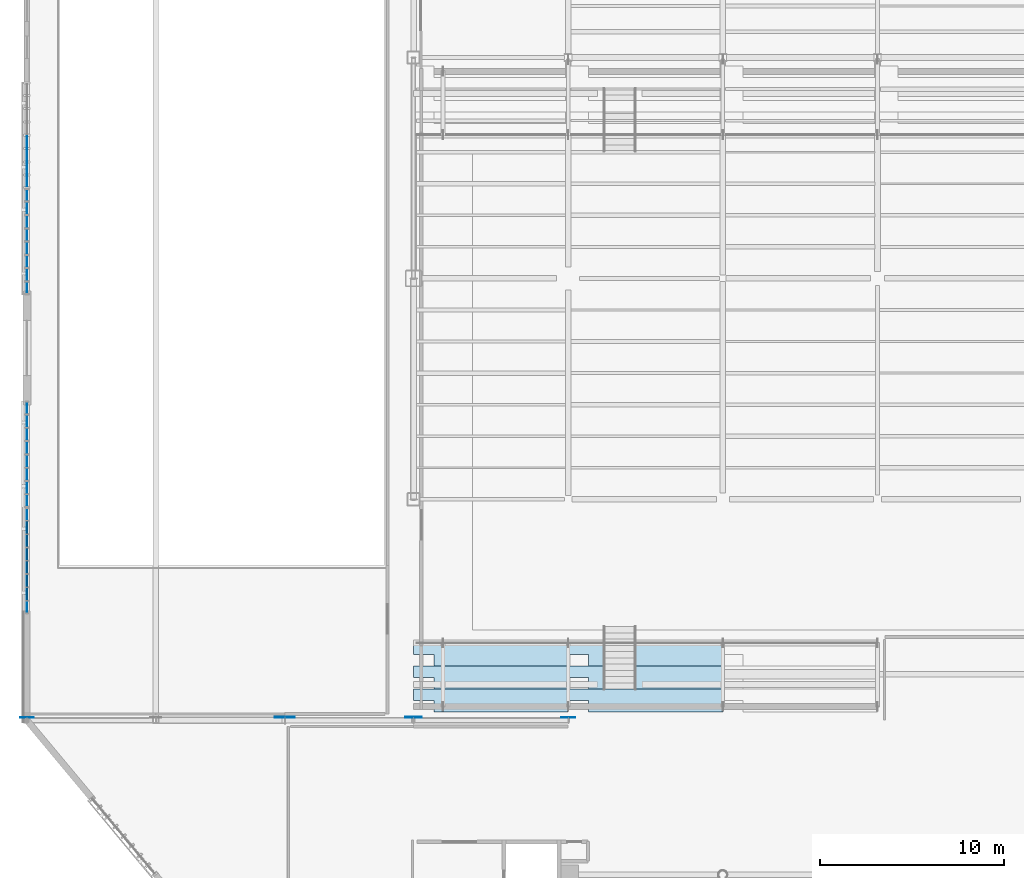
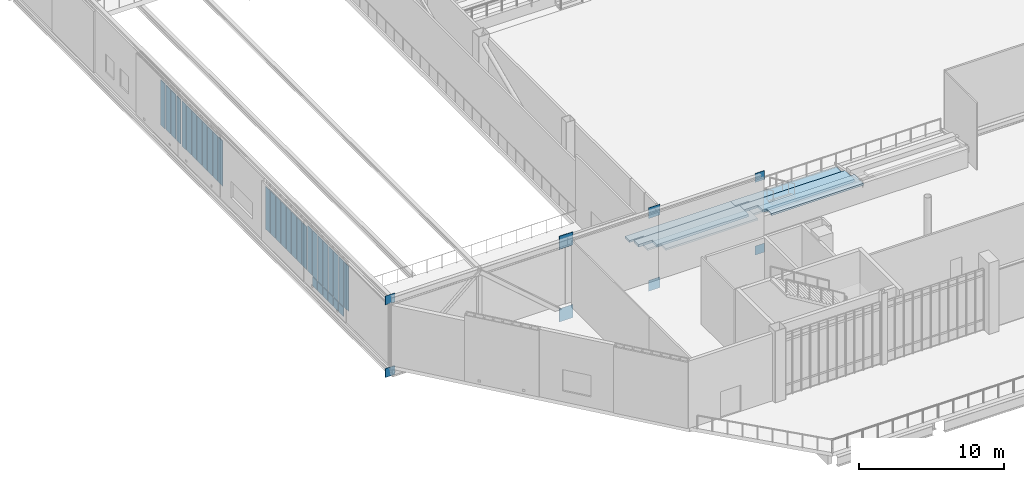
# One storey, part 68 of 135: 42 plates, 6 slabs, 4 elements without a shape of their own.
"""IFC4 building model written with IfcOpenShell, lengths in metres."""

from ifc_helpers import new_model, si_unit, direction, frame, origin, origin_2d, place, context, subcontext, project, spatial, polyline, rectangle, outline, extrude, material, layer, layer_set, type_object, element, aggregate, save


model = new_model("IFC4")

# Units and contexts
model_context = context("Model", 3, precision=1e-05, world=origin(), true_north=direction((0.0, 1.0)))
body_context = subcontext(model_context, "Body", "Model", "MODEL_VIEW")
ifc_project = project(units=[si_unit("LENGTHUNIT", "METRE"), si_unit("AREAUNIT", "SQUARE_METRE"), si_unit("VOLUMEUNIT", "CUBIC_METRE"), si_unit("PLANEANGLEUNIT", "RADIAN"), si_unit("MASSUNIT", "GRAM", prefix="KILO")], contexts=[model_context])

# Site, building, storey
site_placement = place(None, origin())
site = spatial("IfcSite", under=ifc_project, at=site_placement, CompositionType="ELEMENT")
building_placement = place(site_placement, origin())
building = spatial("IfcBuilding", under=site, at=building_placement, Name="Larkvane Passage Sports Hall", CompositionType="ELEMENT")
storey_placement = place(building_placement, frame((0.0, 0.0, 10.800048828125)))
storey = spatial("IfcBuildingStorey", under=building, at=storey_placement, Name="L02", CompositionType="ELEMENT", Elevation=10.800048828125)

# Curtain wall, plates
ifc_material_1 = material(Name="Thermally broken aluminium and low-E glazing", Category="aluminium")
curtain_wall_type_1 = type_object("IfcCurtainWallType", Name="CW-UNIT-COURT", PredefinedType="USERDEFINED", material=ifc_material_1)
curtain_wall_1_placement = place(storey_placement, origin())
curtain_wall_1 = element("IfcCurtainWall", 1, at=curtain_wall_1_placement, inside=storey, type_object=curtain_wall_type_1, Name="Curtain wall CW5-L02-092", ObjectType="UNITISED CURTAIN WALL", PredefinedType="USERDEFINED")
ifc_material_2 = material(Name="Insulated aluminium spandrel panel", Category="aluminium")
ifc_layer_1 = layer(ifc_material_2, 0.06494140625)
ifc_layer_set_1 = layer_set([ifc_layer_1], Name="Insulated aluminium spandrel panel")
plate_type_1 = type_object("IfcPlateType", Name="CWP-SPD-65", PredefinedType="CURTAIN_PANEL", material=ifc_layer_set_1)
plate_1_placement = place(storey_placement, frame((13.800048828125, 46.461181640625, 0.06005859375), z_axis=(0.0, 0.0, 1.0), x_axis=(0.0, 1.0, 0.0)))
plate_1 = element("IfcPlate", 2, at=plate_1_placement, type_object=plate_type_1, Name="CW-01 panel 2.1", PredefinedType="CURTAIN_PANEL", context=body_context, shape_type="SweptSolid", body=[
    extrude(rectangle(XDim=0.662109375, YDim=0.06494140625, at=origin_2d()), origin(), (0.0, 0.0, 1.0), 0.760009765625),
])
plate_2_placement = place(storey_placement, frame((13.800048828125, 47.183349609375, 0.06005859375), z_axis=(0.0, 0.0, 1.0), x_axis=(0.0, 1.0, 0.0)))
plate_2 = element("IfcPlate", 3, at=plate_2_placement, type_object=plate_type_1, Name="CW-01 panel 3.1", PredefinedType="CURTAIN_PANEL", context=body_context, shape_type="SweptSolid", body=[
    extrude(rectangle(XDim=0.662109375, YDim=0.06494140625, at=origin_2d()), origin(), (0.0, 0.0, 1.0), 0.760009765625),
])
plate_3_placement = place(storey_placement, frame((13.800048828125, 47.905517578125, 0.06005859375), z_axis=(0.0, 0.0, 1.0), x_axis=(0.0, 1.0, 0.0)))
plate_3 = element("IfcPlate", 4, at=plate_3_placement, type_object=plate_type_1, Name="CW-01 panel 4.1", PredefinedType="CURTAIN_PANEL", context=body_context, shape_type="SweptSolid", body=[
    extrude(rectangle(XDim=0.662109375, YDim=0.06494140625, at=origin_2d()), origin(), (0.0, 0.0, 1.0), 0.760009765625),
])
plate_4_placement = place(storey_placement, frame((13.800048828125, 48.6279296875, 0.06005859375), z_axis=(0.0, 0.0, 1.0), x_axis=(0.0, 1.0, 0.0)))
plate_4 = element("IfcPlate", 5, at=plate_4_placement, type_object=plate_type_1, Name="CW-01 panel 5.1", PredefinedType="CURTAIN_PANEL", context=body_context, shape_type="SweptSolid", body=[
    extrude(rectangle(XDim=0.662109375, YDim=0.06494140625, at=origin_2d()), origin(), (0.0, 0.0, 1.0), 0.760009765625),
])
plate_5_placement = place(storey_placement, frame((13.800048828125, 49.35009765625, 0.06005859375), z_axis=(0.0, 0.0, 1.0), x_axis=(0.0, 1.0, 0.0)))
plate_5 = element("IfcPlate", 6, at=plate_5_placement, type_object=plate_type_1, Name="CW-01 panel 6.1", PredefinedType="CURTAIN_PANEL", context=body_context, shape_type="SweptSolid", body=[
    extrude(rectangle(XDim=0.662109375, YDim=0.06494140625, at=origin_2d()), origin(), (0.0, 0.0, 1.0), 0.760009765625),
])
plate_6_placement = place(storey_placement, frame((13.800048828125, 50.072265625, 0.06005859375), z_axis=(0.0, 0.0, 1.0), x_axis=(0.0, 1.0, 0.0)))
plate_6 = element("IfcPlate", 7, at=plate_6_placement, type_object=plate_type_1, Name="CW-01 panel 7.1", PredefinedType="CURTAIN_PANEL", context=body_context, shape_type="SweptSolid", body=[
    extrude(rectangle(XDim=0.662109375, YDim=0.06494140625, at=origin_2d()), origin(), (0.0, 0.0, 1.0), 0.760009765625),
])
ifc_material_3 = material(Name="Solar-control low-E double glazing", Category="glass")
ifc_layer_2 = layer(ifc_material_3, 0.028076171875)
ifc_layer_set_2 = layer_set([ifc_layer_2], Name="Solar-control low-E double glazing")
plate_type_2 = type_object("IfcPlateType", Name="CWP-VIS-28", PredefinedType="CURTAIN_PANEL", material=ifc_layer_set_2)
plate_7_placement = place(storey_placement, frame((13.800048828125, 45.75390625, 0.8798828125), z_axis=(0.0, 0.0, 1.0), x_axis=(0.0, 1.0, 0.0)))
plate_7 = element("IfcPlate", 8, at=plate_7_placement, type_object=plate_type_2, Name="CW-01 panel 1.2", PredefinedType="CURTAIN_PANEL", context=body_context, shape_type="SweptSolid", body=[
    extrude(rectangle(XDim=0.63232421875, YDim=0.028076171875, at=origin_2d()), origin(), (0.0, 0.0, 1.0), 3.818115234375),
])
plate_8_placement = place(storey_placement, frame((13.800048828125, 46.461181640625, 0.8798828125), z_axis=(0.0, 0.0, 1.0), x_axis=(0.0, 1.0, 0.0)))
plate_8 = element("IfcPlate", 9, at=plate_8_placement, type_object=plate_type_2, Name="CW-01 panel 2.2", PredefinedType="CURTAIN_PANEL", context=body_context, shape_type="SweptSolid", body=[
    extrude(rectangle(XDim=0.662109375, YDim=0.028076171875, at=origin_2d()), origin(), (0.0, 0.0, 1.0), 3.818115234375),
])
plate_9_placement = place(storey_placement, frame((13.800048828125, 47.183349609375, 0.8798828125), z_axis=(0.0, 0.0, 1.0), x_axis=(0.0, 1.0, 0.0)))
plate_9 = element("IfcPlate", 10, at=plate_9_placement, type_object=plate_type_2, Name="CW-01 panel 3.2", PredefinedType="CURTAIN_PANEL", context=body_context, shape_type="SweptSolid", body=[
    extrude(rectangle(XDim=0.662109375, YDim=0.028076171875, at=origin_2d()), origin(), (0.0, 0.0, 1.0), 3.818115234375),
])
plate_10_placement = place(storey_placement, frame((13.800048828125, 47.905517578125, 0.8798828125), z_axis=(0.0, 0.0, 1.0), x_axis=(0.0, 1.0, 0.0)))
plate_10 = element("IfcPlate", 11, at=plate_10_placement, type_object=plate_type_2, Name="CW-01 panel 4.2", PredefinedType="CURTAIN_PANEL", context=body_context, shape_type="SweptSolid", body=[
    extrude(rectangle(XDim=0.662109375, YDim=0.028076171875, at=origin_2d()), origin(), (0.0, 0.0, 1.0), 3.818115234375),
])
plate_11_placement = place(storey_placement, frame((13.800048828125, 48.6279296875, 0.8798828125), z_axis=(0.0, 0.0, 1.0), x_axis=(0.0, 1.0, 0.0)))
plate_11 = element("IfcPlate", 12, at=plate_11_placement, type_object=plate_type_2, Name="CW-01 panel 5.2", PredefinedType="CURTAIN_PANEL", context=body_context, shape_type="SweptSolid", body=[
    extrude(rectangle(XDim=0.662109375, YDim=0.028076171875, at=origin_2d()), origin(), (0.0, 0.0, 1.0), 3.818115234375),
])
plate_12_placement = place(storey_placement, frame((13.800048828125, 49.35009765625, 0.8798828125), z_axis=(0.0, 0.0, 1.0), x_axis=(0.0, 1.0, 0.0)))
plate_12 = element("IfcPlate", 13, at=plate_12_placement, type_object=plate_type_2, Name="CW-01 panel 6.2", PredefinedType="CURTAIN_PANEL", context=body_context, shape_type="SweptSolid", body=[
    extrude(rectangle(XDim=0.662109375, YDim=0.028076171875, at=origin_2d()), origin(), (0.0, 0.0, 1.0), 3.818115234375),
])
plate_13_placement = place(storey_placement, frame((13.800048828125, 50.072265625, 0.8798828125), z_axis=(0.0, 0.0, 1.0), x_axis=(0.0, 1.0, 0.0)))
plate_13 = element("IfcPlate", 14, at=plate_13_placement, type_object=plate_type_2, Name="CW-01 panel 7.2", PredefinedType="CURTAIN_PANEL", context=body_context, shape_type="SweptSolid", body=[
    extrude(rectangle(XDim=0.662109375, YDim=0.028076171875, at=origin_2d()), origin(), (0.0, 0.0, 1.0), 3.818115234375),
])
plate_14_placement = place(storey_placement, frame((13.800048828125, 50.779541015625, 0.8798828125), z_axis=(0.0, 0.0, 1.0), x_axis=(0.0, 1.0, 0.0)))
plate_14 = element("IfcPlate", 15, at=plate_14_placement, type_object=plate_type_2, Name="CW-01 panel 8.2", PredefinedType="CURTAIN_PANEL", context=body_context, shape_type="SweptSolid", body=[
    extrude(rectangle(XDim=0.63232421875, YDim=0.028076171875, at=origin_2d()), origin(), (0.0, 0.0, 1.0), 3.818115234375),
])
aggregate(curtain_wall_1, [plate_7, plate_1, plate_8, plate_2, plate_9, plate_3, plate_10, plate_4, plate_11, plate_5, plate_12, plate_6, plate_13, plate_14])

curtain_wall_type_2 = type_object("IfcCurtainWallType", Name="CW-UNIT-VEIL", PredefinedType="USERDEFINED", material=ifc_material_1)
curtain_wall_2_placement = place(storey_placement, origin())
curtain_wall_2 = element("IfcCurtainWall", 16, at=curtain_wall_2_placement, inside=storey, type_object=curtain_wall_type_2, Name="Curtain wall CW5-L02-093", ObjectType="UNITISED CURTAIN WALL", PredefinedType="USERDEFINED")
ifc_material_4 = material(Name="Laminated acoustic low-E glazing", Category="glass")
ifc_layer_3 = layer(ifc_material_4, 0.031982421875)
ifc_layer_set_3 = layer_set([ifc_layer_3], Name="Laminated acoustic low-E glazing")
plate_type_3 = type_object("IfcPlateType", Name="CWP-VIS-32", PredefinedType="CURTAIN_PANEL", material=ifc_layer_set_3)
plate_15_placement = place(storey_placement, frame((13.800048828125, 51.5341796875, 0.884765625), z_axis=(0.0, 0.0, 1.0), x_axis=(0.0, 1.0, 0.0)))
plate_15 = element("IfcPlate", 17, at=plate_15_placement, type_object=plate_type_3, Name="CW-02 panel 1.2", PredefinedType="CURTAIN_PANEL", context=body_context, shape_type="SweptSolid", body=[
    extrude(rectangle(XDim=0.6171875, YDim=0.031982421875, at=origin_2d()), origin(), (0.0, 0.0, 1.0), 3.610107421875),
])
plate_16_placement = place(storey_placement, frame((13.800048828125, 52.239013671875, 0.884765625), z_axis=(0.0, 0.0, 1.0), x_axis=(0.0, 1.0, 0.0)))
plate_16 = element("IfcPlate", 18, at=plate_16_placement, type_object=plate_type_3, Name="CW-02 panel 2.2", PredefinedType="CURTAIN_PANEL", context=body_context, shape_type="SweptSolid", body=[
    extrude(rectangle(XDim=0.652099609375, YDim=0.031982421875, at=origin_2d()), origin(), (0.0, 0.0, 1.0), 3.610107421875),
])
plate_17_placement = place(storey_placement, frame((13.800048828125, 52.961181640625, 0.884765625), z_axis=(0.0, 0.0, 1.0), x_axis=(0.0, 1.0, 0.0)))
plate_17 = element("IfcPlate", 19, at=plate_17_placement, type_object=plate_type_3, Name="CW-02 panel 3.2", PredefinedType="CURTAIN_PANEL", context=body_context, shape_type="SweptSolid", body=[
    extrude(rectangle(XDim=0.652099609375, YDim=0.031982421875, at=origin_2d()), origin(), (0.0, 0.0, 1.0), 3.610107421875),
])
plate_18_placement = place(storey_placement, frame((13.800048828125, 53.683349609375, 0.884765625), z_axis=(0.0, 0.0, 1.0), x_axis=(0.0, 1.0, 0.0)))
plate_18 = element("IfcPlate", 20, at=plate_18_placement, type_object=plate_type_3, Name="CW-02 panel 4.2", PredefinedType="CURTAIN_PANEL", context=body_context, shape_type="SweptSolid", body=[
    extrude(rectangle(XDim=0.652099609375, YDim=0.031982421875, at=origin_2d()), origin(), (0.0, 0.0, 1.0), 3.610107421875),
])
plate_19_placement = place(storey_placement, frame((13.800048828125, 54.405517578125, 0.884765625), z_axis=(0.0, 0.0, 1.0), x_axis=(0.0, 1.0, 0.0)))
plate_19 = element("IfcPlate", 21, at=plate_19_placement, type_object=plate_type_3, Name="CW-02 panel 5.2", PredefinedType="CURTAIN_PANEL", context=body_context, shape_type="SweptSolid", body=[
    extrude(rectangle(XDim=0.652099609375, YDim=0.031982421875, at=origin_2d()), origin(), (0.0, 0.0, 1.0), 3.610107421875),
])
plate_20_placement = place(storey_placement, frame((13.800048828125, 55.127685546875, 0.884765625), z_axis=(0.0, 0.0, 1.0), x_axis=(0.0, 1.0, 0.0)))
plate_20 = element("IfcPlate", 22, at=plate_20_placement, type_object=plate_type_3, Name="CW-02 panel 6.2", PredefinedType="CURTAIN_PANEL", context=body_context, shape_type="SweptSolid", body=[
    extrude(rectangle(XDim=0.652099609375, YDim=0.031982421875, at=origin_2d()), origin(), (0.0, 0.0, 1.0), 3.610107421875),
])
plate_21_placement = place(storey_placement, frame((13.800048828125, 55.85009765625, 0.884765625), z_axis=(0.0, 0.0, 1.0), x_axis=(0.0, 1.0, 0.0)))
plate_21 = element("IfcPlate", 23, at=plate_21_placement, type_object=plate_type_3, Name="CW-02 panel 7.2", PredefinedType="CURTAIN_PANEL", context=body_context, shape_type="SweptSolid", body=[
    extrude(rectangle(XDim=0.652099609375, YDim=0.031982421875, at=origin_2d()), origin(), (0.0, 0.0, 1.0), 3.610107421875),
])
plate_22_placement = place(storey_placement, frame((13.800048828125, 56.5546875, 0.884765625), z_axis=(0.0, 0.0, 1.0), x_axis=(0.0, 1.0, 0.0)))
plate_22 = element("IfcPlate", 24, at=plate_22_placement, type_object=plate_type_3, Name="CW-02 panel 8.2", PredefinedType="CURTAIN_PANEL", context=body_context, shape_type="SweptSolid", body=[
    extrude(rectangle(XDim=0.6171875, YDim=0.031982421875, at=origin_2d()), origin(), (0.0, 0.0, 1.0), 3.610107421875),
])
aggregate(curtain_wall_2, [plate_15, plate_16, plate_17, plate_18, plate_19, plate_20, plate_21, plate_22])

curtain_wall_type_3 = type_object("IfcCurtainWallType", Name="CW-STICK-FOYER", PredefinedType="USERDEFINED", material=ifc_material_1)
curtain_wall_3_placement = place(storey_placement, origin())
curtain_wall_3 = element("IfcCurtainWall", 25, at=curtain_wall_3_placement, inside=storey, type_object=curtain_wall_type_3, Name="Curtain wall CW5-L02-094", ObjectType="STICK CURTAIN WALL", PredefinedType="USERDEFINED")
ifc_material_5 = material(Name="High-impact court low-E glazing", Category="glass")
ifc_layer_4 = layer(ifc_material_5, 0.035888671875)
ifc_layer_set_4 = layer_set([ifc_layer_4], Name="High-impact court low-E glazing")
plate_type_4 = type_object("IfcPlateType", Name="CWP-VIS-36", PredefinedType="CURTAIN_PANEL", material=ifc_layer_set_4)
plate_23_placement = place(storey_placement, frame((13.800048828125, 63.09228515625, 0.89013671875), z_axis=(0.0, 0.0, 1.0), x_axis=(0.0, 1.0, 0.0)))
plate_23 = element("IfcPlate", 26, at=plate_23_placement, type_object=plate_type_4, Name="CW-03 panel 1.2", PredefinedType="CURTAIN_PANEL", context=body_context, shape_type="SweptSolid", body=[
    extrude(rectangle(XDim=0.602294921875, YDim=0.035888671875, at=origin_2d()), origin(), (0.0, 0.0, 1.0), 3.798095703125),
])
plate_24_placement = place(storey_placement, frame((13.800048828125, 63.79443359375, 0.89013671875), z_axis=(0.0, 0.0, 1.0), x_axis=(0.0, 1.0, 0.0)))
plate_24 = element("IfcPlate", 27, at=plate_24_placement, type_object=plate_type_4, Name="CW-03 panel 2.2", PredefinedType="CURTAIN_PANEL", context=body_context, shape_type="SweptSolid", body=[
    extrude(rectangle(XDim=0.642333984375, YDim=0.035888671875, at=origin_2d()), origin(), (0.0, 0.0, 1.0), 3.798095703125),
])
plate_25_placement = place(storey_placement, frame((13.800048828125, 64.5166015625, 0.89013671875), z_axis=(0.0, 0.0, 1.0), x_axis=(0.0, 1.0, 0.0)))
plate_25 = element("IfcPlate", 28, at=plate_25_placement, type_object=plate_type_4, Name="CW-03 panel 3.2", PredefinedType="CURTAIN_PANEL", context=body_context, shape_type="SweptSolid", body=[
    extrude(rectangle(XDim=0.642333984375, YDim=0.035888671875, at=origin_2d()), origin(), (0.0, 0.0, 1.0), 3.798095703125),
])
plate_26_placement = place(storey_placement, frame((13.800048828125, 65.23876953125, 0.89013671875), z_axis=(0.0, 0.0, 1.0), x_axis=(0.0, 1.0, 0.0)))
plate_26 = element("IfcPlate", 29, at=plate_26_placement, type_object=plate_type_4, Name="CW-03 panel 4.2", PredefinedType="CURTAIN_PANEL", context=body_context, shape_type="SweptSolid", body=[
    extrude(rectangle(XDim=0.642333984375, YDim=0.035888671875, at=origin_2d()), origin(), (0.0, 0.0, 1.0), 3.798095703125),
])
plate_27_placement = place(storey_placement, frame((13.800048828125, 65.961181640625, 0.89013671875), z_axis=(0.0, 0.0, 1.0), x_axis=(0.0, 1.0, 0.0)))
plate_27 = element("IfcPlate", 30, at=plate_27_placement, type_object=plate_type_4, Name="CW-03 panel 5.2", PredefinedType="CURTAIN_PANEL", context=body_context, shape_type="SweptSolid", body=[
    extrude(rectangle(XDim=0.642333984375, YDim=0.035888671875, at=origin_2d()), origin(), (0.0, 0.0, 1.0), 3.798095703125),
])
plate_28_placement = place(storey_placement, frame((13.800048828125, 66.683349609375, 0.89013671875), z_axis=(0.0, 0.0, 1.0), x_axis=(0.0, 1.0, 0.0)))
plate_28 = element("IfcPlate", 31, at=plate_28_placement, type_object=plate_type_4, Name="CW-03 panel 6.2", PredefinedType="CURTAIN_PANEL", context=body_context, shape_type="SweptSolid", body=[
    extrude(rectangle(XDim=0.642333984375, YDim=0.035888671875, at=origin_2d()), origin(), (0.0, 0.0, 1.0), 3.798095703125),
])
plate_29_placement = place(storey_placement, frame((13.800048828125, 67.405517578125, 0.89013671875), z_axis=(0.0, 0.0, 1.0), x_axis=(0.0, 1.0, 0.0)))
plate_29 = element("IfcPlate", 32, at=plate_29_placement, type_object=plate_type_4, Name="CW-03 panel 7.2", PredefinedType="CURTAIN_PANEL", context=body_context, shape_type="SweptSolid", body=[
    extrude(rectangle(XDim=0.642333984375, YDim=0.035888671875, at=origin_2d()), origin(), (0.0, 0.0, 1.0), 3.798095703125),
])
plate_30_placement = place(storey_placement, frame((13.800048828125, 68.107666015625, 0.89013671875), z_axis=(0.0, 0.0, 1.0), x_axis=(0.0, 1.0, 0.0)))
plate_30 = element("IfcPlate", 33, at=plate_30_placement, type_object=plate_type_4, Name="CW-03 panel 8.2", PredefinedType="CURTAIN_PANEL", context=body_context, shape_type="SweptSolid", body=[
    extrude(rectangle(XDim=0.602294921875, YDim=0.035888671875, at=origin_2d()), origin(), (0.0, 0.0, 1.0), 3.798095703125),
])
aggregate(curtain_wall_3, [plate_23, plate_24, plate_25, plate_26, plate_27, plate_28, plate_29, plate_30])

curtain_wall_type_4 = type_object("IfcCurtainWallType", Name="CW-CLINIC", PredefinedType="USERDEFINED", material=ifc_material_1)
curtain_wall_4_placement = place(storey_placement, origin())
curtain_wall_4 = element("IfcCurtainWall", 34, at=curtain_wall_4_placement, inside=storey, type_object=curtain_wall_type_4, Name="Curtain wall CW5-L02-095", ObjectType="UNITISED CURTAIN WALL", PredefinedType="USERDEFINED")
ifc_material_6 = material(Name="Triple-laminated typhoon glazing", Category="glass")
ifc_layer_5 = layer(ifc_material_6, 0.0419921875)
ifc_layer_set_5 = layer_set([ifc_layer_5], Name="Triple-laminated typhoon glazing")
plate_type_5 = type_object("IfcPlateType", Name="CWP-VIS-42", PredefinedType="CURTAIN_PANEL", material=ifc_layer_set_5)
plate_31_placement = place(storey_placement, frame((13.800048828125, 68.87744140625, 0.905029296875), z_axis=(0.0, 0.0, 1.0), x_axis=(0.0, 1.0, 0.0)))
plate_31 = element("IfcPlate", 35, at=plate_31_placement, type_object=plate_type_5, Name="CW-05 panel 1.2", PredefinedType="CURTAIN_PANEL", context=body_context, shape_type="SweptSolid", body=[
    extrude(rectangle(XDim=0.55712890625, YDim=0.0419921875, at=origin_2d()), origin(), (0.0, 0.0, 1.0), 3.76806640625),
])
plate_32_placement = place(storey_placement, frame((13.800048828125, 69.572265625, 0.905029296875), z_axis=(0.0, 0.0, 1.0), x_axis=(0.0, 1.0, 0.0)))
plate_32 = element("IfcPlate", 36, at=plate_32_placement, type_object=plate_type_5, Name="CW-05 panel 2.2", PredefinedType="CURTAIN_PANEL", context=body_context, shape_type="SweptSolid", body=[
    extrude(rectangle(XDim=0.6123046875, YDim=0.0419921875, at=origin_2d()), origin(), (0.0, 0.0, 1.0), 3.76806640625),
])
plate_33_placement = place(storey_placement, frame((13.800048828125, 70.29443359375, 0.905029296875), z_axis=(0.0, 0.0, 1.0), x_axis=(0.0, 1.0, 0.0)))
plate_33 = element("IfcPlate", 37, at=plate_33_placement, type_object=plate_type_5, Name="CW-05 panel 3.2", PredefinedType="CURTAIN_PANEL", context=body_context, shape_type="SweptSolid", body=[
    extrude(rectangle(XDim=0.6123046875, YDim=0.0419921875, at=origin_2d()), origin(), (0.0, 0.0, 1.0), 3.76806640625),
])
plate_34_placement = place(storey_placement, frame((13.800048828125, 71.0166015625, 0.905029296875), z_axis=(0.0, 0.0, 1.0), x_axis=(0.0, 1.0, 0.0)))
plate_34 = element("IfcPlate", 38, at=plate_34_placement, type_object=plate_type_5, Name="CW-05 panel 4.2", PredefinedType="CURTAIN_PANEL", context=body_context, shape_type="SweptSolid", body=[
    extrude(rectangle(XDim=0.6123046875, YDim=0.0419921875, at=origin_2d()), origin(), (0.0, 0.0, 1.0), 3.76806640625),
])
aggregate(curtain_wall_4, [plate_31, plate_32, plate_33, plate_34])

# Plates
ifc_material_7 = material(Name="Steel S460N", Category="steel")
ifc_layer_6 = layer(ifc_material_7, 0.02392578125)
ifc_layer_set_6 = layer_set([ifc_layer_6], Name="Steel S460N")
plate_type_6 = type_object("IfcPlateType", Name="PLT-GUS-24", PredefinedType="USERDEFINED", material=ifc_layer_set_6)
for number, where, z_axis, x_axis, name in (
    (39, (13.800048828125, 39.761962890625, -1.089111328125), (0.0, 0.0, 1.0), (1.0, 0.0, 0.0), "Truss node gusset plate ND-1B (CT-W2A-1)"),
    (40, (13.800048828125, 39.761962890625, 5.010986328125), (0.0, 0.0, 1.0), (1.0, 0.0, 0.0), "Truss node gusset plate ND-1T (CT-W2A-1)"),
    (41, (43.199951171875, 39.761962890625, -1.089111328125), (0.0, 0.0, 1.0), (1.0, 0.0, 0.0), "Truss node gusset plate ND-5B (CT-W2A-1)"),
    (42, (43.199951171875, 39.761962890625, 5.010986328125), (0.0, 0.0, 1.0), (1.0, 0.0, 0.0), "Truss node gusset plate ND-5T (CT-W2A-1)"),
):
    element("IfcPlate", number, at=place(storey_placement, frame(where, z_axis=z_axis, x_axis=x_axis)), inside=storey, type_object=plate_type_6, Name=name, ObjectType="GUSSET PLATE", PredefinedType="USERDEFINED", context=body_context, shape_type="SweptSolid", body=[
        extrude(rectangle(XDim=0.75, YDim=0.02392578125, at=origin_2d()), origin(), (0.0, 0.0, 1.0), 0.75),
    ])
ifc_layer_7 = layer(ifc_material_7, 0.031982421875)
ifc_layer_set_7 = layer_set([ifc_layer_7], Name="Steel S460N")
plate_type_7 = type_object("IfcPlateType", Name="PLT-GUS-32", PredefinedType="USERDEFINED", material=ifc_layer_set_7)
for number, where, z_axis, x_axis, name in (
    (43, (34.800048828125, 39.76611328125, -1.1640625), (0.0, 0.0, 1.0), (1.0, 0.0, 0.0), "Truss node gusset plate ND-4B (CT-W2A-1)"),
    (44, (34.800048828125, 39.76611328125, 4.93603515625), (0.0, 0.0, 1.0), (1.0, 0.0, 0.0), "Truss node gusset plate ND-4T (CT-W2A-1)"),
):
    element("IfcPlate", number, at=place(storey_placement, frame(where, z_axis=z_axis, x_axis=x_axis)), inside=storey, type_object=plate_type_7, Name=name, ObjectType="GUSSET PLATE", PredefinedType="USERDEFINED", context=body_context, shape_type="SweptSolid", body=[
        extrude(rectangle(XDim=0.89990234375, YDim=0.031982421875, at=origin_2d()), origin(), (0.0, 0.0, 1.0), 0.89990234375),
    ])
ifc_layer_8 = layer(ifc_material_7, 0.0400390625)
ifc_layer_set_8 = layer_set([ifc_layer_8], Name="Steel S460N")
plate_type_8 = type_object("IfcPlateType", Name="PLT-GUS-40", PredefinedType="USERDEFINED", material=ifc_layer_set_8)
for number, where, z_axis, x_axis, name in (
    (45, (27.800048828125, 39.77001953125, -1.26416015625), (0.0, 0.0, 1.0), (1.0, 0.0, 0.0), "Truss node gusset plate ND-3B (CT-W2A-1)"),
    (46, (27.800048828125, 39.77001953125, 4.8359375), (0.0, 0.0, 1.0), (1.0, 0.0, 0.0), "Truss node gusset plate ND-3T (CT-W2A-1)"),
):
    element("IfcPlate", number, at=place(storey_placement, frame(where, z_axis=z_axis, x_axis=x_axis)), inside=storey, type_object=plate_type_8, Name=name, ObjectType="GUSSET PLATE", PredefinedType="USERDEFINED", context=body_context, shape_type="SweptSolid", body=[
        extrude(rectangle(XDim=1.10009765625, YDim=0.0400390625, at=origin_2d()), origin(), (0.0, 0.0, 1.0), 1.10009765625),
    ])

# Slabs
ifc_material_8 = material(Name="Precast concrete C45/55", Category="concrete")
ifc_layer_9 = layer(ifc_material_8, 0.159912109375)
ifc_layer_set_9 = layer_set([ifc_layer_9], Name="Precast concrete C45/55")
slab_type_1 = type_object("IfcSlabType", Name="SLB-TIER-160", PredefinedType="USERDEFINED", material=ifc_layer_set_9)
slab_1_placement = place(storey_placement, frame((0.0, 0.0, 0.68994140625)))
element("IfcSlab", 47, at=slab_1_placement, inside=storey, type_object=slab_type_1, Name="Spectator Stand Tier S1-1", ObjectType="SEATING TIER", PredefinedType="USERDEFINED", context=body_context, shape_type="SweptSolid", body=[
    extrude(outline(polyline([(35.89990234375, 42.550048828125), (43.199951171875, 42.550048828125), (43.199951171875, 43.800048828125), (34.800048828125, 43.800048828125), (34.800048828125, 43.175048828125), (35.89990234375, 43.175048828125), (35.89990234375, 42.550048828125)])), origin(), (0.0, 0.0, 1.0), 0.159912109375),
])
slab_2_placement = place(storey_placement, frame((0.0, 0.0, 1.530029296875)))
element("IfcSlab", 48, at=slab_2_placement, inside=storey, type_object=slab_type_1, Name="Spectator Stand Tier S1-3", ObjectType="SEATING TIER", PredefinedType="USERDEFINED", context=body_context, shape_type="SweptSolid", body=[
    extrude(outline(polyline([(35.89990234375, 40.050048828125), (43.199951171875, 40.050048828125), (43.199951171875, 41.300048828125), (34.800048828125, 41.300048828125), (34.800048828125, 40.675048828125), (35.89990234375, 40.675048828125), (35.89990234375, 40.050048828125)])), origin(), (0.0, 0.0, 1.0), 0.159912109375),
])
slab_3_placement = place(storey_placement, frame((0.0, 0.0, 0.68994140625)))
element("IfcSlab", 49, at=slab_3_placement, inside=storey, type_object=slab_type_1, Name="Spectator Stand Tier S2-1", ObjectType="SEATING TIER", PredefinedType="USERDEFINED", context=body_context, shape_type="SweptSolid", body=[
    extrude(outline(polyline([(44.300048828125, 42.550048828125), (51.60009765625, 42.550048828125), (51.60009765625, 43.800048828125), (43.199951171875, 43.800048828125), (43.199951171875, 43.175048828125), (44.300048828125, 43.175048828125), (44.300048828125, 42.550048828125)])), origin(), (0.0, 0.0, 1.0), 0.159912109375),
])
slab_4_placement = place(storey_placement, frame((0.0, 0.0, 1.530029296875)))
element("IfcSlab", 50, at=slab_4_placement, inside=storey, type_object=slab_type_1, Name="Spectator Stand Tier S2-3", ObjectType="SEATING TIER", PredefinedType="USERDEFINED", context=body_context, shape_type="SweptSolid", body=[
    extrude(outline(polyline([(44.300048828125, 40.050048828125), (51.60009765625, 40.050048828125), (51.60009765625, 41.300048828125), (43.199951171875, 41.300048828125), (43.199951171875, 40.675048828125), (44.300048828125, 40.675048828125), (44.300048828125, 40.050048828125)])), origin(), (0.0, 0.0, 1.0), 0.159912109375),
])
ifc_layer_10 = layer(ifc_material_8, 0.205078125)
ifc_layer_set_10 = layer_set([ifc_layer_10], Name="Precast concrete C45/55")
slab_type_2 = type_object("IfcSlabType", Name="SLB-TIER-205", PredefinedType="USERDEFINED", material=ifc_layer_set_10)
slab_5_placement = place(storey_placement, frame((0.0, 0.0, 1.06494140625)))
element("IfcSlab", 51, at=slab_5_placement, inside=storey, type_object=slab_type_2, Name="Spectator Stand Tier S1-2", ObjectType="SEATING TIER", PredefinedType="USERDEFINED", context=body_context, shape_type="SweptSolid", body=[
    extrude(outline(polyline([(35.89990234375, 41.300048828125), (43.199951171875, 41.300048828125), (43.199951171875, 42.550048828125), (34.800048828125, 42.550048828125), (34.800048828125, 41.925048828125), (35.89990234375, 41.925048828125), (35.89990234375, 41.300048828125)])), origin(), (0.0, 0.0, 1.0), 0.205078125),
])
slab_6_placement = place(storey_placement, frame((0.0, 0.0, 1.06494140625)))
element("IfcSlab", 52, at=slab_6_placement, inside=storey, type_object=slab_type_2, Name="Spectator Stand Tier S2-2", ObjectType="SEATING TIER", PredefinedType="USERDEFINED", context=body_context, shape_type="SweptSolid", body=[
    extrude(outline(polyline([(44.300048828125, 41.300048828125), (51.60009765625, 41.300048828125), (51.60009765625, 42.550048828125), (43.199951171875, 42.550048828125), (43.199951171875, 41.925048828125), (44.300048828125, 41.925048828125), (44.300048828125, 41.300048828125)])), origin(), (0.0, 0.0, 1.0), 0.205078125),
])

save(model, "model.ifc")
